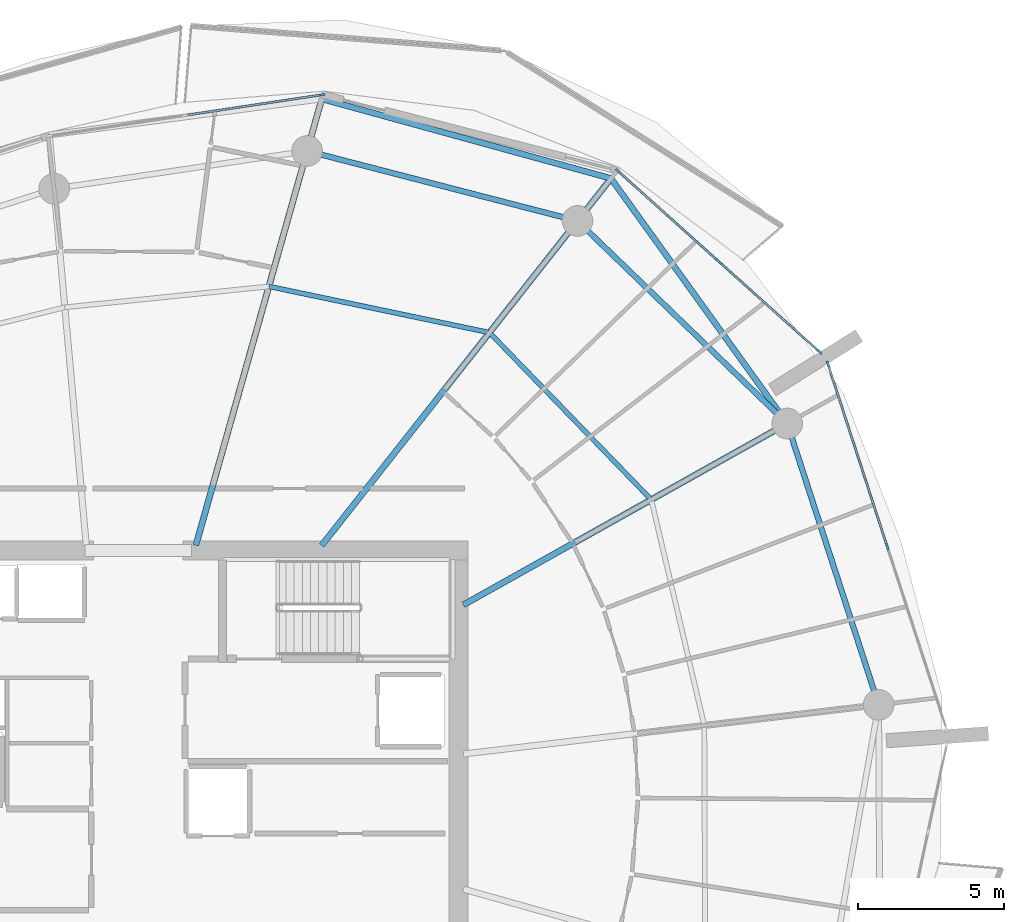
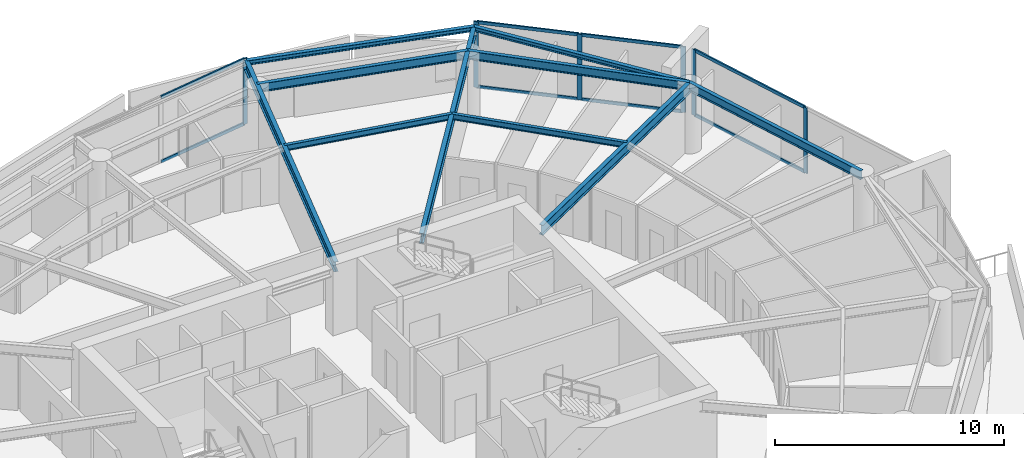
# One storey, part 9 of 21: 14 members, 10 beams, 3 elements without a shape of their own.
"""IFC4 building model written with IfcOpenShell, lengths in metres."""

from ifc_helpers import new_model, si_unit, direction, frame, origin, origin_2d, place, context, subcontext, project, spatial, rectangle, i_section, extrude, material, layer, layer_set, material_profile, profile_set, type_object, element, aggregate, save


model = new_model("IFC4")

# Units and contexts
model_context = context("Model", 3, precision=1e-05, world=origin(), true_north=direction((0.0, 1.0)))
body_context = subcontext(model_context, "Body", "Model", "MODEL_VIEW")
ifc_project = project(units=[si_unit("LENGTHUNIT", "METRE"), si_unit("AREAUNIT", "SQUARE_METRE"), si_unit("VOLUMEUNIT", "CUBIC_METRE"), si_unit("PLANEANGLEUNIT", "RADIAN"), si_unit("MASSUNIT", "GRAM", prefix="KILO")], contexts=[model_context])

# Site, building, storey
site_placement = place(None, origin())
site = spatial("IfcSite", under=ifc_project, at=site_placement, CompositionType="ELEMENT")
building_placement = place(site_placement, origin())
building = spatial("IfcBuilding", under=site, at=building_placement, Name="Kazma Halo Residences", CompositionType="ELEMENT")
storey_placement = place(building_placement, frame((0.0, 0.0, 187.800048828125)))
storey = spatial("IfcBuildingStorey", under=building, at=storey_placement, Name="L47", CompositionType="ELEMENT", Elevation=187.800048828125)

# Beams
ifc_material_1 = material(Name="Steel S355", Category="steel")
ifc_material_profile_1 = material_profile(ifc_material_1, i_section(OverallWidth=0.201904296875, OverallDepth=0.2470703125, WebThickness=0.00732421875, FlangeThickness=0.010986328125, FilletRadius=0.011962890625, at=origin_2d()), Name="W250x49.1")
ifc_profile_set_1 = profile_set([ifc_material_profile_1], Name="Steel S355")
beam_type_1 = type_object("IfcBeamType", Name="BM-BAL-CANT", PredefinedType="BEAM", material=ifc_profile_set_1)
beam_1_placement = place(storey_placement, frame((70.625, 54.670654296875, 3.37646484375), z_axis=(-0.583963922576, 0.811779611181, 0.0), x_axis=(-0.811779611181, -0.583963922576, 0.0)))
element("IfcBeam", 1, at=beam_1_placement, inside=storey, type_object=beam_type_1, Name="L47 wave-balcony lead tie beam 01", PredefinedType="BEAM", context=body_context, shape_type="SweptSolid", body=[
    extrude(i_section(OverallWidth=0.201904296875, OverallDepth=0.2470703125, WebThickness=0.00732421875, FlangeThickness=0.010986328125, FilletRadius=0.011962890625, at=origin_2d()), origin(), (0.0, 0.0, 1.0), 10.324462890625),
])
beam_2_placement = place(storey_placement, frame((64.595947265625, 63.0517578125, 3.37646484375), z_axis=(-0.964197026197, 0.265186905169, 0.0), x_axis=(-0.265186905169, -0.964197026197, 0.0)))
element("IfcBeam", 2, at=beam_2_placement, inside=storey, type_object=beam_type_1, Name="L47 wave-balcony tie beam 02", PredefinedType="BEAM", context=body_context, shape_type="SweptSolid", body=[
    extrude(i_section(OverallWidth=0.201904296875, OverallDepth=0.2470703125, WebThickness=0.00732421875, FlangeThickness=0.010986328125, FilletRadius=0.011962890625, at=origin_2d()), origin(), (0.0, 0.0, 1.0), 10.258544921875),
])
ifc_material_profile_2 = material_profile(ifc_material_1, i_section(OverallWidth=0.208984375, OverallDepth=0.532958984375, WebThickness=0.01025390625, FlangeThickness=0.015625, FilletRadius=0.01611328125, at=origin_2d()), Name="W530x92")
ifc_profile_set_2 = profile_set([ifc_material_profile_2], Name="Steel S355")
beam_type_2 = type_object("IfcBeamType", Name="BM-RAD-W530", PredefinedType="BEAM", material=ifc_profile_set_2)
beam_3_placement = place(storey_placement, frame((59.550048828125, 48.46826171875, 3.2333984375), z_axis=(0.872491912539, 0.488628552742, 0.0), x_axis=(-0.488628552742, 0.872491912539, 0.0)))
element("IfcBeam", 3, at=beam_3_placement, inside=storey, type_object=beam_type_2, Name="L47 radial floor beam 01", PredefinedType="BEAM", context=body_context, shape_type="SweptSolid", body=[
    extrude(i_section(OverallWidth=0.208984375, OverallDepth=0.532958984375, WebThickness=0.01025390625, FlangeThickness=0.015625, FilletRadius=0.01611328125, at=origin_2d()), origin(), (0.0, 0.0, 1.0), 12.693359375),
])
beam_4_placement = place(storey_placement, frame((54.700927734375, 50.5, 3.2333984375), z_axis=(0.61909439419, 0.785316580165, 0.0), x_axis=(-0.785316580165, 0.61909439419, 0.0)))
element("IfcBeam", 4, at=beam_4_placement, inside=storey, type_object=beam_type_2, Name="L47 radial floor beam 02", PredefinedType="BEAM", context=body_context, shape_type="SweptSolid", body=[
    extrude(i_section(OverallWidth=0.208984375, OverallDepth=0.532958984375, WebThickness=0.01025390625, FlangeThickness=0.015625, FilletRadius=0.01611328125, at=origin_2d()), origin(), (0.0, 0.0, 1.0), 15.983154296875),
])
beam_5_placement = place(storey_placement, frame((50.397216796875, 50.5, 3.2333984375), z_axis=(0.271449932859, 0.962452561922, 0.0), x_axis=(-0.962452561922, 0.271449932859, 0.0)))
element("IfcBeam", 5, at=beam_5_placement, inside=storey, type_object=beam_type_2, Name="L47 radial floor beam 03", PredefinedType="BEAM", context=body_context, shape_type="SweptSolid", body=[
    extrude(i_section(OverallWidth=0.208984375, OverallDepth=0.532958984375, WebThickness=0.01025390625, FlangeThickness=0.015625, FilletRadius=0.01611328125, at=origin_2d()), origin(), (0.0, 0.0, 1.0), 15.867919921875),
])
ifc_material_profile_3 = material_profile(ifc_material_1, i_section(OverallWidth=0.1650390625, OverallDepth=0.31005859375, WebThickness=0.005859375, FlangeThickness=0.009765625, FilletRadius=0.011962890625, at=origin_2d()), Name="W310x38.7")
ifc_profile_set_3 = profile_set([ifc_material_profile_3], Name="Steel S355")
beam_type_3 = type_object("IfcBeamType", Name="BM-SEC-W310B", PredefinedType="JOIST", material=ifc_profile_set_3)
beam_6_placement = place(storey_placement, frame((65.9736328125, 52.065673828125, 3.344970703125), z_axis=(-0.695659633946, 0.718371542934, 0.0), x_axis=(-0.718371542934, -0.695659633946, 0.0)))
element("IfcBeam", 6, at=beam_6_placement, inside=storey, type_object=beam_type_3, Name="L47 circumferential floor joist 01", PredefinedType="JOIST", context=body_context, shape_type="SweptSolid", body=[
    extrude(i_section(OverallWidth=0.1650390625, OverallDepth=0.31005859375, WebThickness=0.005859375, FlangeThickness=0.009765625, FilletRadius=0.011962890625, at=origin_2d()), origin(), (0.0, 0.0, 1.0), 7.95458984375),
])
beam_7_placement = place(storey_placement, frame((60.43994140625, 57.780029296875, 3.344970703125), z_axis=(-0.978821484976, 0.204715657802, 0.0), x_axis=(-0.204715657802, -0.978821484976, 0.0)))
element("IfcBeam", 7, at=beam_7_placement, inside=storey, type_object=beam_type_3, Name="L47 circumferential floor joist 02", PredefinedType="JOIST", context=body_context, shape_type="SweptSolid", body=[
    extrude(i_section(OverallWidth=0.1650390625, OverallDepth=0.31005859375, WebThickness=0.005859375, FlangeThickness=0.009765625, FilletRadius=0.011962890625, at=origin_2d()), origin(), (0.0, 0.0, 1.0), 7.707763671875),
])
ifc_material_profile_4 = material_profile(ifc_material_1, i_section(OverallWidth=0.18994140625, OverallDepth=0.45703125, WebThickness=0.009033203125, FlangeThickness=0.014404296875, FilletRadius=0.01611328125, at=origin_2d()), Name="W460x74")
ifc_profile_set_4 = profile_set([ifc_material_profile_4], Name="Steel S355")
beam_type_4 = type_object("IfcBeamType", Name="BM-SPN-W460", PredefinedType="BEAM", material=ifc_profile_set_4)
beam_8_placement = place(storey_placement, frame((70.625, 54.670654296875, 3.271484375), z_axis=(-0.71933650181, 0.694661786169, 0.0), x_axis=(-0.694661786169, -0.71933650181, 0.0)))
element("IfcBeam", 8, at=beam_8_placement, inside=storey, type_object=beam_type_4, Name="L47 perimeter ring beam 01", PredefinedType="BEAM", context=body_context, shape_type="SweptSolid", body=[
    extrude(i_section(OverallWidth=0.18994140625, OverallDepth=0.45703125, WebThickness=0.009033203125, FlangeThickness=0.014404296875, FilletRadius=0.01611328125, at=origin_2d()), origin(), (0.0, 0.0, 1.0), 9.9736328125),
])
beam_9_placement = place(storey_placement, frame((63.45068359375, 61.598876953125, 3.271484375), z_axis=(-0.968120950739, 0.25048318255, 0.0), x_axis=(-0.25048318255, -0.968120950739, 0.0)))
element("IfcBeam", 9, at=beam_9_placement, inside=storey, type_object=beam_type_4, Name="L47 perimeter ring beam 02", PredefinedType="BEAM", context=body_context, shape_type="SweptSolid", body=[
    extrude(i_section(OverallWidth=0.18994140625, OverallDepth=0.45703125, WebThickness=0.009033203125, FlangeThickness=0.014404296875, FilletRadius=0.01611328125, at=origin_2d()), origin(), (0.0, 0.0, 1.0), 9.552734375),
])
beam_10_placement = place(storey_placement, frame((73.751708984375, 45.0478515625, 3.271484375), z_axis=(-0.309023327426, 0.951054458539, 0.0), x_axis=(-0.951054458539, -0.309023327426, 0.0)))
element("IfcBeam", 10, at=beam_10_placement, inside=storey, type_object=beam_type_4, Name="L47 perimeter ring beam 16", PredefinedType="BEAM", context=body_context, shape_type="SweptSolid", body=[
    extrude(i_section(OverallWidth=0.18994140625, OverallDepth=0.45703125, WebThickness=0.009033203125, FlangeThickness=0.014404296875, FilletRadius=0.01611328125, at=origin_2d()), origin(), (0.0, 0.0, 1.0), 10.117919921875),
])

# Curtain wall, members
ifc_material_2 = material(Name="Aluminium AW-6063 T6 and Triple-Silver Low-E Glass", Category="aluminium")
ifc_layer = layer(ifc_material_2, 0.219970703125)
ifc_layer_set = layer_set([ifc_layer], Name="Aluminium AW-6063 T6 and Triple-Silver Low-E Glass")
curtain_wall_type = type_object("IfcCurtainWallType", Name="CW-SYS-4", PredefinedType="NOTDEFINED", material=ifc_layer_set)
curtain_wall_1_placement = place(storey_placement, origin())
curtain_wall_1 = element("IfcCurtainWall", 11, at=curtain_wall_1_placement, inside=storey, type_object=curtain_wall_type, Name="L47 unitised curtain wall B01", PredefinedType="NOTDEFINED")
ifc_material_3 = material(Name="Aluminium AW-6063 T6", Category="aluminium")
ifc_material_profile_5 = material_profile(ifc_material_3, rectangle(XDim=0.074951171875, YDim=0.219970703125, at=origin_2d()), Name="CWM-75x220")
ifc_profile_set_5 = profile_set([ifc_material_profile_5], Name="Aluminium AW-6063 T6")
member_type_1 = type_object("IfcMemberType", Name="CW-SYS-4-MUL", PredefinedType="MULLION", material=ifc_profile_set_5)
member_1_placement = place(storey_placement, frame((71.7216796875, 57.126220703125, 0.0), z_axis=(0.0, 0.0, 1.0), x_axis=(-0.667784328806, -0.744354814723, 0.0)))
member_1 = element("IfcMember", 12, at=member_1_placement, type_object=member_type_1, Name="CWS-4 mullion 1", PredefinedType="MULLION", context=body_context, shape_type="SweptSolid", body=[
    extrude(rectangle(XDim=0.074951171875, YDim=0.219970703125, at=origin_2d()), origin(), (0.0, 0.0, 1.0), 3.5),
])
member_2_placement = place(storey_placement, frame((68.280517578125, 60.213134765625, 0.0), z_axis=(0.0, 0.0, 1.0), x_axis=(-0.667784328806, -0.744354814723, 0.0)))
member_2 = element("IfcMember", 13, at=member_2_placement, type_object=member_type_1, Name="CWS-4 mullion 2", PredefinedType="MULLION", context=body_context, shape_type="SweptSolid", body=[
    extrude(rectangle(XDim=0.074951171875, YDim=0.219970703125, at=origin_2d()), origin(), (0.0, 0.0, 1.0), 3.5),
])
member_3_placement = place(storey_placement, frame((64.839599609375, 63.30029296875, 0.0), z_axis=(0.0, 0.0, 1.0), x_axis=(-0.667784328806, -0.744354814723, 0.0)))
member_3 = element("IfcMember", 14, at=member_3_placement, type_object=member_type_1, Name="CWS-4 mullion 3", PredefinedType="MULLION", context=body_context, shape_type="SweptSolid", body=[
    extrude(rectangle(XDim=0.074951171875, YDim=0.219970703125, at=origin_2d()), origin(), (0.0, 0.0, 1.0), 3.5),
])

# Curtain wall, member
curtain_wall_2_placement = place(storey_placement, origin())
curtain_wall_2 = element("IfcCurtainWall", 15, at=curtain_wall_2_placement, inside=storey, type_object=curtain_wall_type, Name="L47 unitised curtain wall B03", PredefinedType="NOTDEFINED")
member_4_placement = place(storey_placement, frame((54.708740234375, 65.913330078125, 0.0), z_axis=(0.0, 0.0, 1.0), x_axis=(0.148772639188, -0.988871428361, 0.0)))
member_4 = element("IfcMember", 16, at=member_4_placement, type_object=member_type_1, Name="CWS-4 mullion 1", PredefinedType="MULLION", context=body_context, shape_type="SweptSolid", body=[
    extrude(rectangle(XDim=0.074951171875, YDim=0.219970703125, at=origin_2d()), origin(), (0.0, 0.0, 1.0), 3.5),
])

# Curtain wall, members
curtain_wall_3_placement = place(storey_placement, origin())
curtain_wall_3 = element("IfcCurtainWall", 17, at=curtain_wall_3_placement, inside=storey, type_object=curtain_wall_type, Name="L47 unitised curtain wall B16", PredefinedType="NOTDEFINED")
member_5_placement = place(storey_placement, frame((74.04345703125, 50.4619140625, 0.0), z_axis=(0.0, 0.0, 1.0), x_axis=(-0.951056893636, -0.309015833038, 0.0)))
member_5 = element("IfcMember", 18, at=member_5_placement, type_object=member_type_1, Name="CWS-4 mullion 2", PredefinedType="MULLION", context=body_context, shape_type="SweptSolid", body=[
    extrude(rectangle(XDim=0.074951171875, YDim=0.219970703125, at=origin_2d()), origin(), (0.0, 0.0, 1.0), 3.5),
])
member_6_placement = place(storey_placement, frame((72.015625, 56.702880859375, 0.0), z_axis=(0.0, 0.0, 1.0), x_axis=(-0.951056893636, -0.309015833038, 0.0)))
member_6 = element("IfcMember", 19, at=member_6_placement, type_object=member_type_1, Name="CWS-4 mullion 3", PredefinedType="MULLION", context=body_context, shape_type="SweptSolid", body=[
    extrude(rectangle(XDim=0.074951171875, YDim=0.219970703125, at=origin_2d()), origin(), (0.0, 0.0, 1.0), 3.5),
])

# Member
ifc_material_profile_6 = material_profile(ifc_material_3, rectangle(XDim=0.074951171875, YDim=0.1650390625, at=origin_2d()), Name="CWT-75x165")
ifc_profile_set_6 = profile_set([ifc_material_profile_6], Name="Aluminium AW-6063 T6")
member_type_2 = type_object("IfcMemberType", Name="CW-SYS-4-TRN", PredefinedType="USERDEFINED", material=ifc_profile_set_6)
member_7_placement = place(storey_placement, frame((71.69384765625, 57.151123046875, 0.037353515625), z_axis=(-0.744344906673, 0.667795372783, 0.0), x_axis=(-0.667795372783, -0.744344906673, 0.0)))
member_7 = element("IfcMember", 20, at=member_7_placement, type_object=member_type_2, Name="CWS-4 transom 1.1", ObjectType="TRANSOM", PredefinedType="USERDEFINED", context=body_context, shape_type="SweptSolid", body=[
    extrude(rectangle(XDim=0.074951171875, YDim=0.1650390625, at=origin_2d()), origin(), (0.0, 0.0, 1.0), 4.5478515625),
])

member_8_placement = place(storey_placement, frame((71.69384765625, 57.151123046875, 3.46240234375), z_axis=(-0.744344906673, 0.667795372783, 0.0), x_axis=(-0.667795372783, -0.744344906673, 0.0)))
member_8 = element("IfcMember", 21, at=member_8_placement, type_object=member_type_2, Name="CWS-4 transom 1.2", ObjectType="TRANSOM", PredefinedType="USERDEFINED", context=body_context, shape_type="SweptSolid", body=[
    extrude(rectangle(XDim=0.074951171875, YDim=0.1650390625, at=origin_2d()), origin(), (0.0, 0.0, 1.0), 4.5478515625),
])

member_9_placement = place(storey_placement, frame((68.252685546875, 60.23828125, 0.037353515625), z_axis=(-0.744344906673, 0.667795372783, 0.0), x_axis=(-0.667795372783, -0.744344906673, 0.0)))
member_9 = element("IfcMember", 22, at=member_9_placement, type_object=member_type_2, Name="CWS-4 transom 2.1", ObjectType="TRANSOM", PredefinedType="USERDEFINED", context=body_context, shape_type="SweptSolid", body=[
    extrude(rectangle(XDim=0.074951171875, YDim=0.1650390625, at=origin_2d()), origin(), (0.0, 0.0, 1.0), 4.5478515625),
])

member_10_placement = place(storey_placement, frame((68.252685546875, 60.23828125, 3.46240234375), z_axis=(-0.744344906673, 0.667795372783, 0.0), x_axis=(-0.667795372783, -0.744344906673, 0.0)))
member_10 = element("IfcMember", 23, at=member_10_placement, type_object=member_type_2, Name="CWS-4 transom 2.2", ObjectType="TRANSOM", PredefinedType="USERDEFINED", context=body_context, shape_type="SweptSolid", body=[
    extrude(rectangle(XDim=0.074951171875, YDim=0.1650390625, at=origin_2d()), origin(), (0.0, 0.0, 1.0), 4.5478515625),
])

aggregate(curtain_wall_1, [member_1, member_2, member_3, member_7, member_8, member_9, member_10])

member_11_placement = place(storey_placement, frame((54.671630859375, 65.907958984375, 0.037353515625), z_axis=(-0.988867623216, -0.148797929272, 0.0), x_axis=(0.148797929272, -0.988867623216, 0.0)))
member_11 = element("IfcMember", 24, at=member_11_placement, type_object=member_type_2, Name="CWS-4 transom 1.1", ObjectType="TRANSOM", PredefinedType="USERDEFINED", context=body_context, shape_type="SweptSolid", body=[
    extrude(rectangle(XDim=0.074951171875, YDim=0.1650390625, at=origin_2d()), origin(), (0.0, 0.0, 1.0), 4.64501953125),
])

member_12_placement = place(storey_placement, frame((54.671630859375, 65.907958984375, 3.46240234375), z_axis=(-0.988867623216, -0.148797929272, 0.0), x_axis=(0.148797929272, -0.988867623216, 0.0)))
member_12 = element("IfcMember", 25, at=member_12_placement, type_object=member_type_2, Name="CWS-4 transom 1.2", ObjectType="TRANSOM", PredefinedType="USERDEFINED", context=body_context, shape_type="SweptSolid", body=[
    extrude(rectangle(XDim=0.074951171875, YDim=0.1650390625, at=origin_2d()), origin(), (0.0, 0.0, 1.0), 4.64501953125),
])

aggregate(curtain_wall_2, [member_4, member_11, member_12])

member_13_placement = place(storey_placement, frame((74.031982421875, 50.49755859375, 0.037353515625), z_axis=(-0.309015440644, 0.951057021132, 0.0), x_axis=(-0.951057021132, -0.309015440644, 0.0)))
member_13 = element("IfcMember", 26, at=member_13_placement, type_object=member_type_2, Name="CWS-4 transom 2.1", ObjectType="TRANSOM", PredefinedType="USERDEFINED", context=body_context, shape_type="SweptSolid", body=[
    extrude(rectangle(XDim=0.074951171875, YDim=0.1650390625, at=origin_2d()), origin(), (0.0, 0.0, 1.0), 6.487060546875),
])

member_14_placement = place(storey_placement, frame((74.031982421875, 50.49755859375, 3.46240234375), z_axis=(-0.309015440644, 0.951057021132, 0.0), x_axis=(-0.951057021132, -0.309015440644, 0.0)))
member_14 = element("IfcMember", 27, at=member_14_placement, type_object=member_type_2, Name="CWS-4 transom 2.2", ObjectType="TRANSOM", PredefinedType="USERDEFINED", context=body_context, shape_type="SweptSolid", body=[
    extrude(rectangle(XDim=0.074951171875, YDim=0.1650390625, at=origin_2d()), origin(), (0.0, 0.0, 1.0), 6.487060546875),
])

aggregate(curtain_wall_3, [member_5, member_6, member_13, member_14])

save(model, "model.ifc")
